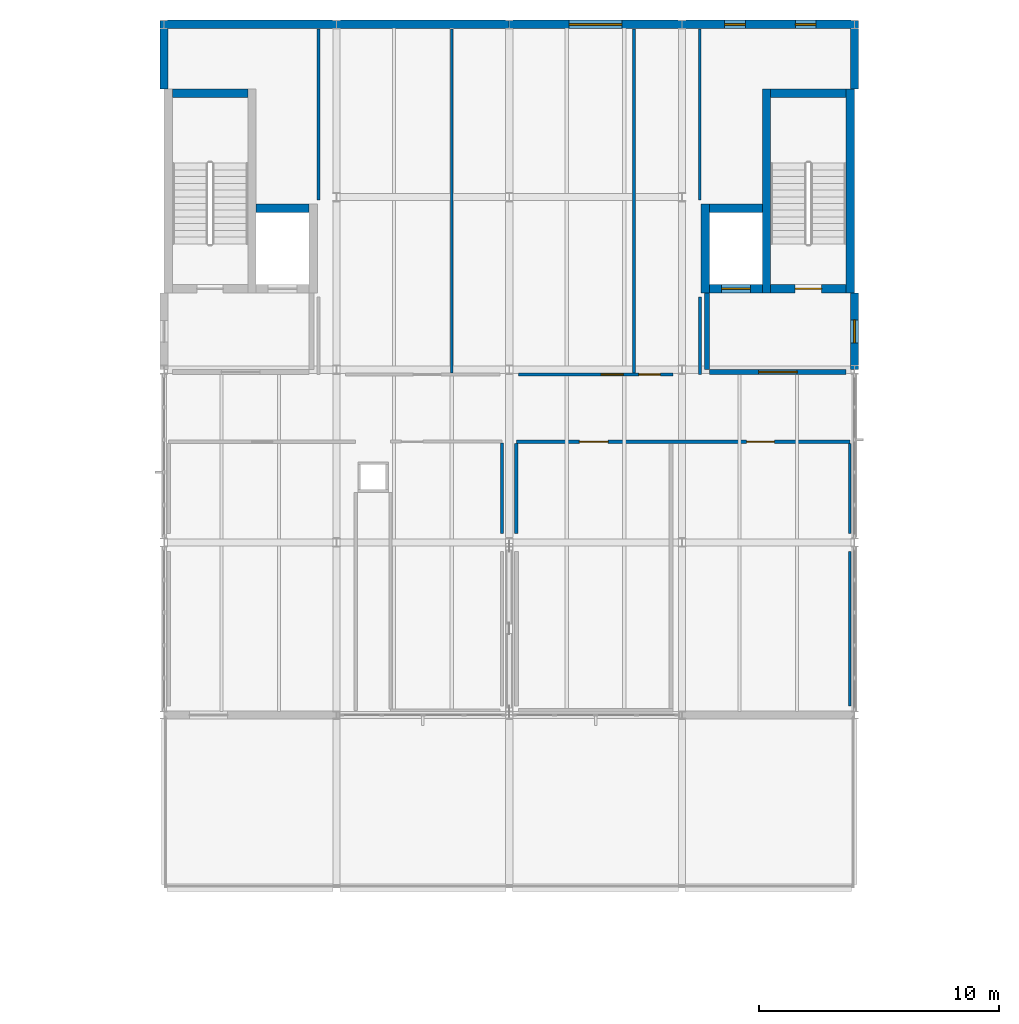
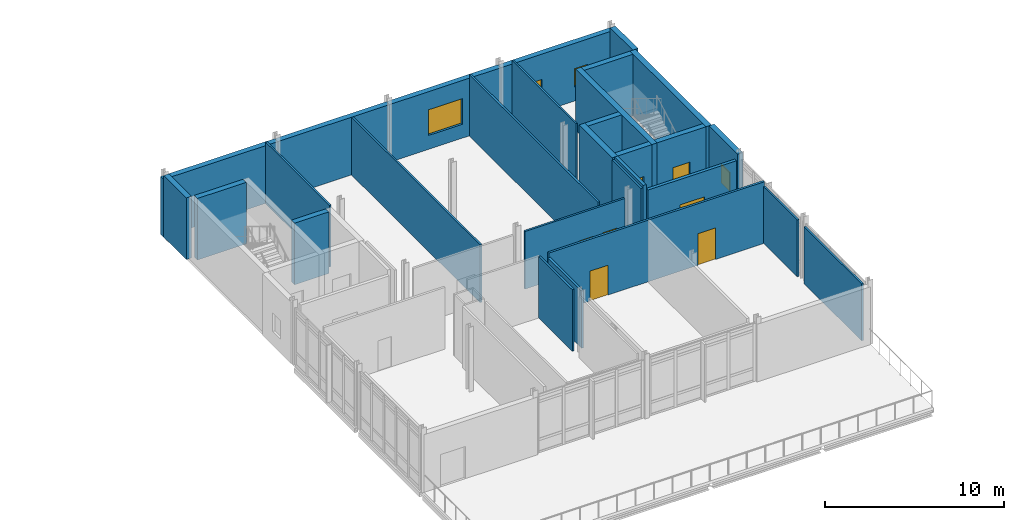
# One storey, part 43 of 53: 29 walls, 7 doors, 4 windows, 11 openings.
"""IFC4 building model written with IfcOpenShell, lengths in metres."""

from ifc_helpers import new_model, si_unit, direction, frame, frame_2d, origin, place, context, subcontext, project, spatial, rectangle, extrude, material, layer, layer_set, type_object, element, fill, save


model = new_model("IFC4")

# Units and contexts
model_context = context("Model", 3, precision=1e-05, world=origin(), true_north=direction((0.0, 1.0)))
body_context = subcontext(model_context, "Body", "Model", "MODEL_VIEW")
ifc_project = project(units=[si_unit("LENGTHUNIT", "METRE"), si_unit("AREAUNIT", "SQUARE_METRE"), si_unit("VOLUMEUNIT", "CUBIC_METRE"), si_unit("PLANEANGLEUNIT", "RADIAN"), si_unit("MASSUNIT", "GRAM", prefix="KILO")], contexts=[model_context])

# Site, building, storey
site_placement = place(None, origin())
site = spatial("IfcSite", under=ifc_project, at=site_placement, CompositionType="ELEMENT")
building_placement = place(site_placement, origin())
building = spatial("IfcBuilding", under=site, at=building_placement, Name="Zarrinpeak Specialist Clinic", CompositionType="ELEMENT")
storey_placement = place(building_placement, frame((0.0, 0.0, 14.0)))
storey = spatial("IfcBuildingStorey", under=building, at=storey_placement, Name="L03", CompositionType="ELEMENT", Elevation=14.0)

# Walls
ifc_material_1 = material(Name="Concrete C40/50", Category="concrete")
ifc_layer_1 = layer(ifc_material_1, 0.35009765625)
ifc_layer_set_1 = layer_set([ifc_layer_1], Name="Concrete C40/50")
wall_type_1 = type_object("IfcWallType", Name="WL-CR350", PredefinedType="SHEAR", material=ifc_layer_set_1)
wall_1_placement = place(storey_placement, frame((36.35009765625, 115.125, 0.0), z_axis=(0.0, 0.0, 1.0), x_axis=(1.0, 0.0, 0.0)))
element("IfcWall", 1, at=wall_1_placement, inside=storey, type_object=wall_type_1, Name="L03 Core C11 Shear Wall STN", PredefinedType="SHEAR", context=body_context, shape_type="SweptSolid", body=[
    extrude(rectangle(XDim=3.14990234375, YDim=0.35009765625, at=frame_2d((1.574951171875, 0.0))), origin(), (0.0, 0.0, 1.0), 4.199951171875),
])
wall_2_placement = place(storey_placement, frame((39.85009765625, 110.324951171875, 0.0), z_axis=(0.0, 0.0, 1.0), x_axis=(1.0, 0.0, 0.0)))
element("IfcWall", 2, at=wall_2_placement, inside=storey, type_object=wall_type_1, Name="L03 Lift LF-P1 Shaft Wall LFN", PredefinedType="SHEAR", context=body_context, shape_type="SweptSolid", body=[
    extrude(rectangle(XDim=2.199951171875, YDim=0.35009765625, at=frame_2d((1.10009765625, 0.0))), origin(), (0.0, 0.0, 1.0), 4.199951171875),
])

# Wall, opening, door
wall_3_placement = place(storey_placement, frame((61.300048828125, 106.97509765625, 0.0), z_axis=(0.0, 0.0, 1.0), x_axis=(1.0, 0.0, 0.0)))
wall_3 = element("IfcWall", 3, at=wall_3_placement, inside=storey, type_object=wall_type_1, Name="L03 Core C12 Shear Wall STS", PredefinedType="SHEAR", context=body_context, shape_type="SweptSolid", body=[
    extrude(rectangle(XDim=3.14990234375, YDim=0.35009765625, at=frame_2d((1.574951171875, 0.0))), origin(), (0.0, 0.0, 1.0), 4.199951171875),
])
opening_1_placement = place(wall_3_placement, frame((1.02490234375, 0.0, 0.0)))
opening_1 = element("IfcOpeningElement", 4, at=opening_1_placement, cuts=wall_3, Name="Opening D-S02", PredefinedType="OPENING", context=body_context, shape_type="SweptSolid", body=[
    extrude(rectangle(XDim=1.10009765625, YDim=2.14990234375, at=frame_2d((0.550048828125, 1.074951171875))), frame((0.0, 0.18505859375, 0.0), z_axis=(0.0, -1.0, 0.0), x_axis=(1.0, 0.0, 0.0)), (0.0, 0.0, 1.0), 0.3701171875),
])
ifc_material_2 = material(Name="Powder-Coated Galvanised Steel", Category="steel")
door_type_1 = type_object("IfcDoorType", Name="DR-FD110", OperationType="SINGLE_SWING_RIGHT", PredefinedType="DOOR", material=ifc_material_2)
door_1_placement = place(opening_1_placement, origin())
door_1 = element("IfcDoor", 5, at=door_1_placement, inside=storey, type_object=door_type_1, Name="L03 Protected Stair ST-12 Fire Door", OperationType="SINGLE_SWING_RIGHT", OverallHeight=2.14990234375, OverallWidth=1.10009765625, PredefinedType="DOOR", context=body_context, shape_type="SweptSolid", body=[
    extrude(rectangle(XDim=1.10009765625, YDim=2.14990234375, at=frame_2d((0.550048828125, 1.074951171875))), frame((0.0, 0.02490234375, 0.0), z_axis=(0.0, -1.0, 0.0), x_axis=(1.0, 0.0, 0.0)), (0.0, 0.0, 1.0), 0.050048828125),
])
fill(opening_1, door_1)

# Walls
wall_4_placement = place(storey_placement, frame((61.300048828125, 115.125, 0.0), z_axis=(0.0, 0.0, 1.0), x_axis=(1.0, 0.0, 0.0)))
element("IfcWall", 6, at=wall_4_placement, inside=storey, type_object=wall_type_1, Name="L03 Core C12 Shear Wall STN", PredefinedType="SHEAR", context=body_context, shape_type="SweptSolid", body=[
    extrude(rectangle(XDim=3.14990234375, YDim=0.35009765625, at=frame_2d((1.574951171875, 0.0))), origin(), (0.0, 0.0, 1.0), 4.199951171875),
])
for number, where, z_axis, x_axis, name in (
    (7, (61.125, 106.800048828125, 0.0), (0.0, 0.0, 1.0), (0.0, 1.0, 0.0), "L03 Core C12 Shear Wall STW"),
    (8, (64.625, 106.800048828125, 0.0), (0.0, 0.0, 1.0), (0.0, 1.0, 0.0), "L03 Core C12 Shear Wall STE"),
):
    element("IfcWall", number, at=place(storey_placement, frame(where, z_axis=z_axis, x_axis=x_axis)), inside=storey, type_object=wall_type_1, Name=name, PredefinedType="SHEAR", context=body_context, shape_type="SweptSolid", body=[
        extrude(rectangle(XDim=8.5, YDim=0.35009765625, at=frame_2d((4.25, 0.0))), origin(), (0.0, 0.0, 1.0), 4.199951171875),
    ])

# Wall, opening, door
wall_5_placement = place(storey_placement, frame((58.75, 106.97509765625, 0.0), z_axis=(0.0, 0.0, 1.0), x_axis=(1.0, 0.0, 0.0)))
wall_5 = element("IfcWall", 9, at=wall_5_placement, inside=storey, type_object=wall_type_1, Name="L03 Lift LF-P6 Shaft Wall LFS", PredefinedType="SHEAR", context=body_context, shape_type="SweptSolid", body=[
    extrude(rectangle(XDim=2.199951171875, YDim=0.35009765625, at=frame_2d((1.10009765625, 0.0))), origin(), (0.0, 0.0, 1.0), 4.199951171875),
])
opening_2_placement = place(wall_5_placement, frame((0.5, 0.0, 0.0)))
opening_2 = element("IfcOpeningElement", 10, at=opening_2_placement, cuts=wall_5, Name="Opening LD-02", PredefinedType="OPENING", context=body_context, shape_type="SweptSolid", body=[
    extrude(rectangle(XDim=1.199951171875, YDim=2.199951171875, at=frame_2d((0.60009765625, 1.10009765625))), frame((0.0, 0.18505859375, 0.0), z_axis=(0.0, -1.0, 0.0), x_axis=(1.0, 0.0, 0.0)), (0.0, 0.0, 1.0), 0.3701171875),
])
door_type_2 = type_object("IfcDoorType", Name="DR-LD120", OperationType="SLIDING_TO_RIGHT", PredefinedType="DOOR", material=ifc_material_2)
door_2_placement = place(opening_2_placement, origin())
door_2 = element("IfcDoor", 11, at=door_2_placement, inside=storey, type_object=door_type_2, Name="L03 Lift LF-P6 Sliding Landing Door", OperationType="SLIDING_TO_RIGHT", OverallHeight=2.199951171875, OverallWidth=1.199951171875, PredefinedType="DOOR", context=body_context, shape_type="SweptSolid", body=[
    extrude(rectangle(XDim=1.199951171875, YDim=2.199951171875, at=frame_2d((0.60009765625, 1.10009765625))), frame((0.0, 0.02490234375, 0.0), z_axis=(0.0, -1.0, 0.0), x_axis=(1.0, 0.0, 0.0)), (0.0, 0.0, 1.0), 0.050048828125),
])
fill(opening_2, door_2)

# Walls
wall_6_placement = place(storey_placement, frame((58.75, 110.324951171875, 0.0), z_axis=(0.0, 0.0, 1.0), x_axis=(1.0, 0.0, 0.0)))
element("IfcWall", 12, at=wall_6_placement, inside=storey, type_object=wall_type_1, Name="L03 Lift LF-P6 Shaft Wall LFN", PredefinedType="SHEAR", context=body_context, shape_type="SweptSolid", body=[
    extrude(rectangle(XDim=2.199951171875, YDim=0.35009765625, at=frame_2d((1.10009765625, 0.0))), origin(), (0.0, 0.0, 1.0), 4.199951171875),
])
wall_7_placement = place(storey_placement, frame((58.574951171875, 106.800048828125, 0.0), z_axis=(0.0, 0.0, 1.0), x_axis=(0.0, 1.0, 0.0)))
element("IfcWall", 13, at=wall_7_placement, inside=storey, type_object=wall_type_1, Name="L03 Lift LF-P6 Shaft Wall LFW", PredefinedType="SHEAR", context=body_context, shape_type="SweptSolid", body=[
    extrude(rectangle(XDim=3.699951171875, YDim=0.35009765625, at=frame_2d((1.85009765625, 0.0))), origin(), (0.0, 0.0, 1.0), 4.199951171875),
])
ifc_material_3 = material(Name="Precast concrete C40/50", Category="concrete")
ifc_layer_2 = layer(ifc_material_3, 0.340087890625)
ifc_layer_set_2 = layer_set([ifc_layer_2], Name="Precast concrete C40/50")
wall_type_2 = type_object("IfcWallType", Name="WL-EW340", PredefinedType="STANDARD", material=ifc_layer_set_2)
wall_8_placement = place(storey_placement, frame((43.199951171875, 118.0, 0.0), z_axis=(0.0, 0.0, 1.0), x_axis=(-1.0, 0.0, 0.0)))
element("IfcWall", 14, at=wall_8_placement, inside=storey, type_object=wall_type_2, Name="L03 V6 Exterior GRC Wall EW-L03-V6-0303", PredefinedType="STANDARD", context=body_context, shape_type="SweptSolid", body=[
    extrude(rectangle(XDim=7.369873046875, YDim=0.340087890625, at=frame_2d((3.68505859375, 0.0))), origin(), (0.0, 0.0, 1.0), 3.93505859375),
])
wall_9_placement = place(storey_placement, frame((50.39990234375, 118.0, 0.0), z_axis=(0.0, 0.0, 1.0), x_axis=(-1.0, 0.0, 0.0)))
element("IfcWall", 15, at=wall_9_placement, inside=storey, type_object=wall_type_2, Name="L03 V6 Exterior GRC Wall EW-L03-V6-0304", PredefinedType="STANDARD", context=body_context, shape_type="SweptSolid", body=[
    extrude(rectangle(XDim=7.199951171875, YDim=0.340087890625, at=frame_2d((3.60009765625, 0.0))), origin(), (0.0, 0.0, 1.0), 3.93505859375),
])

# Wall, opening, window
wall_10_placement = place(storey_placement, frame((57.60009765625, 118.0, 0.0), z_axis=(0.0, 0.0, 1.0), x_axis=(-1.0, 0.0, 0.0)))
wall_10 = element("IfcWall", 16, at=wall_10_placement, inside=storey, type_object=wall_type_2, Name="L03 V6 Exterior GRC Wall EW-L03-V6-0305", PredefinedType="STANDARD", context=body_context, shape_type="SweptSolid", body=[
    extrude(rectangle(XDim=7.2001953125, YDim=0.340087890625, at=frame_2d((3.60009765625, 0.0))), origin(), (0.0, 0.0, 1.0), 3.93505859375),
])
opening_3_placement = place(wall_10_placement, frame((2.5, 0.0, 0.949951171875)))
opening_3 = element("IfcOpeningElement", 17, at=opening_3_placement, cuts=wall_10, Name="Opening W-12", PredefinedType="OPENING", context=body_context, shape_type="SweptSolid", body=[
    extrude(rectangle(XDim=2.199951171875, YDim=1.75, at=frame_2d((1.10009765625, 0.875))), frame((0.0, 0.18017578125, 0.0), z_axis=(0.0, -1.0, 0.0), x_axis=(1.0, 0.0, 0.0)), (0.0, 0.0, 1.0), 0.360107421875),
])
ifc_material_4 = material(Name="Thermally Broken Aluminium and Low-E Glazing", Category="aluminium")
window_type_1 = type_object("IfcWindowType", Name="WN-SEM220", PartitioningType="SINGLE_PANEL", PredefinedType="WINDOW", material=ifc_material_4)
window_1_placement = place(opening_3_placement, origin())
window_1 = element("IfcWindow", 18, at=window_1_placement, inside=storey, type_object=window_type_1, Name="L03 Modular Facade Window WN-L03-0342", OverallHeight=1.75, OverallWidth=2.199951171875, PartitioningType="SINGLE_PANEL", PredefinedType="WINDOW", context=body_context, shape_type="SweptSolid", body=[
    extrude(rectangle(XDim=2.199951171875, YDim=1.75, at=frame_2d((1.10009765625, 0.875))), frame((0.0, 0.030029296875, 0.0), z_axis=(0.0, -1.0, 0.0), x_axis=(1.0, 0.0, 0.0)), (0.0, 0.0, 1.0), 0.06005859375),
])
fill(opening_3, window_1)

# Wall, openings, windows
wall_11_placement = place(storey_placement, frame((64.969970703125, 118.0, 0.0), z_axis=(0.0, 0.0, 1.0), x_axis=(-1.0, 0.0, 0.0)))
wall_11 = element("IfcWall", 19, at=wall_11_placement, inside=storey, type_object=wall_type_2, Name="L03 V6 Exterior GRC Wall EW-L03-V6-0306", PredefinedType="STANDARD", context=body_context, shape_type="SweptSolid", body=[
    extrude(rectangle(XDim=7.369873046875, YDim=0.340087890625, at=frame_2d((3.68505859375, 0.0))), origin(), (0.0, 0.0, 1.0), 3.93505859375),
])
opening_4_placement = place(wall_11_placement, frame((1.781005859375, 0.0, 0.949951171875)))
opening_4 = element("IfcOpeningElement", 20, at=opening_4_placement, cuts=wall_11, Name="Opening WS-01", PredefinedType="OPENING", context=body_context, shape_type="SweptSolid", body=[
    extrude(rectangle(XDim=0.860107421875, YDim=1.260009765625, at=frame_2d((0.43017578125, 0.6298828125))), frame((0.0, 0.18017578125, 0.0), z_axis=(0.0, -1.0, 0.0), x_axis=(1.0, 0.0, 0.0)), (0.0, 0.0, 1.0), 0.360107421875),
])
opening_5_placement = place(wall_11_placement, frame((4.72900390625, 0.0, 0.949951171875)))
opening_5 = element("IfcOpeningElement", 21, at=opening_5_placement, cuts=wall_11, Name="Opening WS-01", PredefinedType="OPENING", context=body_context, shape_type="SweptSolid", body=[
    extrude(rectangle(XDim=0.860107421875, YDim=1.260009765625, at=frame_2d((0.43017578125, 0.6298828125))), frame((0.0, 0.18017578125, 0.0), z_axis=(0.0, -1.0, 0.0), x_axis=(1.0, 0.0, 0.0)), (0.0, 0.0, 1.0), 0.360107421875),
])
window_type_2 = type_object("IfcWindowType", Name="WN-SP01", PartitioningType="SINGLE_PANEL", PredefinedType="WINDOW", material=ifc_material_4)
window_2_placement = place(opening_4_placement, origin())
window_2 = element("IfcWindow", 22, at=window_2_placement, inside=storey, type_object=window_type_2, Name="L03 Modular Facade Window WN-L03-0343", OverallHeight=1.260009765625, OverallWidth=0.860107421875, PartitioningType="SINGLE_PANEL", PredefinedType="WINDOW", context=body_context, shape_type="SweptSolid", body=[
    extrude(rectangle(XDim=0.860107421875, YDim=1.260009765625, at=frame_2d((0.43017578125, 0.6298828125))), frame((0.0, 0.030029296875, 0.0), z_axis=(0.0, -1.0, 0.0), x_axis=(1.0, 0.0, 0.0)), (0.0, 0.0, 1.0), 0.06005859375),
])
fill(opening_4, window_2)
window_3_placement = place(opening_5_placement, origin())
window_3 = element("IfcWindow", 23, at=window_3_placement, inside=storey, type_object=window_type_2, Name="L03 Modular Facade Window WN-L03-0344", OverallHeight=1.260009765625, OverallWidth=0.860107421875, PartitioningType="SINGLE_PANEL", PredefinedType="WINDOW", context=body_context, shape_type="SweptSolid", body=[
    extrude(rectangle(XDim=0.860107421875, YDim=1.260009765625, at=frame_2d((0.43017578125, 0.6298828125))), frame((0.0, 0.030029296875, 0.0), z_axis=(0.0, -1.0, 0.0), x_axis=(1.0, 0.0, 0.0)), (0.0, 0.0, 1.0), 0.06005859375),
])
fill(opening_5, window_3)

# Wall
wall_12_placement = place(storey_placement, frame((36.0, 117.830078125, 0.0), z_axis=(0.0, 0.0, 1.0), x_axis=(0.0, -1.0, 0.0)))
element("IfcWall", 24, at=wall_12_placement, inside=storey, type_object=wall_type_2, Name="L03 V6 Exterior GRC Wall EW-L03-V6-0308", PredefinedType="STANDARD", context=body_context, shape_type="SweptSolid", body=[
    extrude(rectangle(XDim=2.530029296875, YDim=0.340087890625, at=frame_2d((1.26513671875, 0.0))), origin(), (0.0, 0.0, 1.0), 4.199951171875),
])

# Wall, opening, window
wall_13_placement = place(storey_placement, frame((64.800048828125, 103.60009765625, 0.0), z_axis=(0.0, 0.0, 1.0), x_axis=(0.0, 1.0, 0.0)))
wall_13 = element("IfcWall", 25, at=wall_13_placement, inside=storey, type_object=wall_type_2, Name="L03 V6 Exterior GRC Wall EW-L03-V6-0309", PredefinedType="STANDARD", context=body_context, shape_type="SweptSolid", body=[
    extrude(rectangle(XDim=3.199951171875, YDim=0.340087890625, at=frame_2d((1.60009765625, 0.0))), origin(), (0.0, 0.0, 1.0), 4.199951171875),
])
opening_6_placement = place(wall_13_placement, frame((1.118896484375, 0.0, 0.949951171875)))
opening_6 = element("IfcOpeningElement", 26, at=opening_6_placement, cuts=wall_13, Name="Opening WS-04", PredefinedType="OPENING", context=body_context, shape_type="SweptSolid", body=[
    extrude(rectangle(XDim=0.9619140625, YDim=1.260009765625, at=frame_2d((0.48095703125, 0.6298828125))), frame((0.0, 0.18017578125, 0.0), z_axis=(0.0, -1.0, 0.0), x_axis=(1.0, 0.0, 0.0)), (0.0, 0.0, 1.0), 0.360107421875),
])
window_type_3 = type_object("IfcWindowType", Name="WN-SP04", PartitioningType="SINGLE_PANEL", PredefinedType="WINDOW", material=ifc_material_4)
window_4_placement = place(opening_6_placement, origin())
window_4 = element("IfcWindow", 27, at=window_4_placement, inside=storey, type_object=window_type_3, Name="L03 Modular Facade Window WN-L03-0346", OverallHeight=1.260009765625, OverallWidth=0.9619140625, PartitioningType="SINGLE_PANEL", PredefinedType="WINDOW", context=body_context, shape_type="SweptSolid", body=[
    extrude(rectangle(XDim=0.9619140625, YDim=1.260009765625, at=frame_2d((0.48095703125, 0.6298828125))), frame((0.0, 0.030029296875, 0.0), z_axis=(0.0, -1.0, 0.0), x_axis=(1.0, 0.0, 0.0)), (0.0, 0.0, 1.0), 0.06005859375),
])
fill(opening_6, window_4)

# Walls
wall_14_placement = place(storey_placement, frame((64.800048828125, 115.300048828125, 0.0), z_axis=(0.0, 0.0, 1.0), x_axis=(0.0, 1.0, 0.0)))
element("IfcWall", 28, at=wall_14_placement, inside=storey, type_object=wall_type_2, Name="L03 V6 Exterior GRC Wall EW-L03-V6-0310", PredefinedType="STANDARD", context=body_context, shape_type="SweptSolid", body=[
    extrude(rectangle(XDim=2.530029296875, YDim=0.340087890625, at=frame_2d((1.26513671875, 0.0))), origin(), (0.0, 0.0, 1.0), 4.199951171875),
])
ifc_material_5 = material(Name="Sanitary Service Chase Plumbing Wall", Category="gypsum")
ifc_layer_3 = layer(ifc_material_5, 0.110107421875)
ifc_layer_set_3 = layer_set([ifc_layer_3], Name="Sanitary Service Chase Plumbing Wall")
wall_type_3 = type_object("IfcWallType", Name="WL-IW110", PredefinedType="PARTITIONING", material=ifc_layer_set_3)
wall_15_placement = place(storey_placement, frame((58.35009765625, 110.675048828125, 0.0), z_axis=(0.0, 0.0, 1.0), x_axis=(0.0, 1.0, 0.0)))
element("IfcWall", 29, at=wall_15_placement, inside=storey, type_object=wall_type_3, Name="L03 Accessible Researcher WC Dividing Partition", PredefinedType="PARTITIONING", context=body_context, shape_type="SweptSolid", body=[
    extrude(rectangle(XDim=7.125, YDim=0.110107421875, at=frame_2d((3.5625, 0.0))), origin(), (0.0, 0.0, 1.0), 4.199951171875),
])
ifc_material_6 = material(Name="Cleanroom Flush Phenolic Partition", Category="gypsum")
ifc_layer_4 = layer(ifc_material_6, 0.117919921875)
ifc_layer_set_4 = layer_set([ifc_layer_4], Name="Cleanroom Flush Phenolic Partition")
wall_type_4 = type_object("IfcWallType", Name="WL-IW118", PredefinedType="PARTITIONING", material=ifc_layer_set_4)
wall_16_placement = place(storey_placement, frame((42.449951171875, 110.675048828125, 0.0), z_axis=(0.0, 0.0, 1.0), x_axis=(0.0, 1.0, 0.0)))
element("IfcWall", 30, at=wall_16_placement, inside=storey, type_object=wall_type_4, Name="L03 Translational Genomics Wet Lab Dividing Partition", PredefinedType="PARTITIONING", context=body_context, shape_type="SweptSolid", body=[
    extrude(rectangle(XDim=7.125, YDim=0.117919921875, at=frame_2d((3.5625, 0.0))), origin(), (0.0, 0.0, 1.0), 4.199951171875),
])
wall_17_placement = place(storey_placement, frame((48.0, 103.46240234375, 0.0), z_axis=(0.0, 0.0, 1.0), x_axis=(0.0, 1.0, 0.0)))
element("IfcWall", 31, at=wall_17_placement, inside=storey, type_object=wall_type_4, Name="L03 Translational Genomics Wet Lab Dividing Partition", PredefinedType="PARTITIONING", context=body_context, shape_type="SweptSolid", body=[
    extrude(rectangle(XDim=14.337646484375, YDim=0.117919921875, at=frame_2d((7.1689453125, 0.0))), origin(), (0.0, 0.0, 1.0), 3.945068359375),
])
wall_18_placement = place(storey_placement, frame((64.60009765625, 89.580078125, 0.0), z_axis=(0.0, 0.0, 1.0), x_axis=(0.0, 1.0, 0.0)))
element("IfcWall", 32, at=wall_18_placement, inside=storey, type_object=wall_type_4, Name="L03 Cell Culture Clean Lab Dividing Partition", PredefinedType="PARTITIONING", context=body_context, shape_type="SweptSolid", body=[
    extrude(rectangle(XDim=6.43994140625, YDim=0.117919921875, at=frame_2d((3.219970703125, 0.0))), origin(), (0.0, 0.0, 1.0), 3.885009765625),
])
wall_19_placement = place(storey_placement, frame((64.60009765625, 96.780029296875, 0.0), z_axis=(0.0, 0.0, 1.0), x_axis=(0.0, 1.0, 0.0)))
element("IfcWall", 33, at=wall_19_placement, inside=storey, type_object=wall_type_4, Name="L03 Cell Culture Clean Lab Dividing Partition", PredefinedType="PARTITIONING", context=body_context, shape_type="SweptSolid", body=[
    extrude(rectangle(XDim=3.7490234375, YDim=0.117919921875, at=frame_2d((1.87451171875, 0.0))), origin(), (0.0, 0.0, 1.0), 3.885009765625),
])

# Wall, openings, doors
ifc_material_7 = material(Name="Moisture-Resistant Wet-Room Partition", Category="gypsum")
ifc_layer_5 = layer(ifc_material_7, 0.125)
ifc_layer_set_5 = layer_set([ifc_layer_5], Name="Moisture-Resistant Wet-Room Partition")
wall_type_5 = type_object("IfcWallType", Name="WL-IW125W", PredefinedType="PARTITIONING", material=ifc_layer_set_5)
wall_20_placement = place(storey_placement, frame((50.780029296875, 103.39990234375, 0.0), z_axis=(0.0, 0.0, 1.0), x_axis=(1.0, 0.0, 0.0)))
wall_20 = element("IfcWall", 34, at=wall_20_placement, inside=storey, type_object=wall_type_5, Name="L03 Accessible Researcher WC Partition", PredefinedType="PARTITIONING", context=body_context, shape_type="SweptSolid", body=[
    extrude(rectangle(XDim=6.43994140625, YDim=0.125, at=frame_2d((3.219970703125, 0.0))), origin(), (0.0, 0.0, 1.0), 3.93505859375),
])
opening_7_placement = place(wall_20_placement, frame((5.02001953125, 0.0, 0.0)))
opening_7 = element("IfcOpeningElement", 35, at=opening_7_placement, cuts=wall_20, Name="Opening D-W01", PredefinedType="OPENING", context=body_context, shape_type="SweptSolid", body=[
    extrude(rectangle(XDim=0.89990234375, YDim=2.10009765625, at=frame_2d((0.449951171875, 1.050048828125))), frame((0.0, 0.072509765625, 0.0), z_axis=(0.0, -1.0, 0.0), x_axis=(1.0, 0.0, 0.0)), (0.0, 0.0, 1.0), 0.14501953125),
])
opening_8_placement = place(wall_20_placement, frame((3.464111328125, 0.0, 0.0)))
opening_8 = element("IfcOpeningElement", 36, at=opening_8_placement, cuts=wall_20, Name="Opening DS-15", PredefinedType="OPENING", context=body_context, shape_type="SweptSolid", body=[
    extrude(rectangle(XDim=0.906005859375, YDim=2.068115234375, at=frame_2d((0.453125, 1.0341796875))), frame((0.0, 0.072509765625, 0.0), z_axis=(0.0, -1.0, 0.0), x_axis=(1.0, 0.0, 0.0)), (0.0, 0.0, 1.0), 0.14501953125),
])
door_type_3 = type_object("IfcDoorType", Name="DR-SP15", OperationType="SINGLE_SWING_RIGHT", PredefinedType="DOOR", material=ifc_material_2)
door_3_placement = place(opening_8_placement, frame((0.906005859375, 0.0, 0.0), z_axis=(0.0, 0.0, 1.0), x_axis=(-1.0, 0.0, 0.0)))
door_3 = element("IfcDoor", 37, at=door_3_placement, inside=storey, type_object=door_type_3, Name="L03 Specialist Consultation Room 2 Door", OperationType="SINGLE_SWING_RIGHT", OverallHeight=2.068115234375, OverallWidth=0.906005859375, PredefinedType="DOOR", context=body_context, shape_type="SweptSolid", body=[
    extrude(rectangle(XDim=0.906005859375, YDim=2.068115234375, at=frame_2d((0.453125, 1.0341796875))), frame((0.0, 0.02490234375, 0.0), z_axis=(0.0, -1.0, 0.0), x_axis=(1.0, 0.0, 0.0)), (0.0, 0.0, 1.0), 0.050048828125),
])
fill(opening_8, door_3)
door_type_4 = type_object("IfcDoorType", Name="DR-WC90", OperationType="SINGLE_SWING_RIGHT", PredefinedType="DOOR", material=ifc_material_2)
door_4_placement = place(opening_7_placement, frame((0.89990234375, 0.0, 0.0), z_axis=(0.0, 0.0, 1.0), x_axis=(-1.0, 0.0, 0.0)))
door_4 = element("IfcDoor", 38, at=door_4_placement, inside=storey, type_object=door_type_4, Name="L03 Accessible Researcher WC Door", OperationType="SINGLE_SWING_RIGHT", OverallHeight=2.10009765625, OverallWidth=0.89990234375, PredefinedType="DOOR", context=body_context, shape_type="SweptSolid", body=[
    extrude(rectangle(XDim=0.89990234375, YDim=2.10009765625, at=frame_2d((0.449951171875, 1.050048828125))), frame((0.0, 0.02490234375, 0.0), z_axis=(0.0, -1.0, 0.0), x_axis=(1.0, 0.0, 0.0)), (0.0, 0.0, 1.0), 0.050048828125),
])
fill(opening_7, door_4)

# Walls
wall_21_placement = place(storey_placement, frame((50.10009765625, 96.780029296875, 0.0), z_axis=(0.0, 0.0, 1.0), x_axis=(0.0, 1.0, 0.0)))
element("IfcWall", 39, at=wall_21_placement, inside=storey, type_object=wall_type_5, Name="L03 Washroom Dividing Partition", PredefinedType="PARTITIONING", context=body_context, shape_type="SweptSolid", body=[
    extrude(rectangle(XDim=3.757568359375, YDim=0.125, at=frame_2d((1.87890625, 0.0))), origin(), (0.0, 0.0, 1.0), 4.199951171875),
])
wall_22_placement = place(storey_placement, frame((55.60009765625, 103.46240234375, 0.0), z_axis=(0.0, 0.0, 1.0), x_axis=(0.0, 1.0, 0.0)))
element("IfcWall", 40, at=wall_22_placement, inside=storey, type_object=wall_type_5, Name="L03 Accessible Researcher WC Dividing Partition", PredefinedType="PARTITIONING", context=body_context, shape_type="SweptSolid", body=[
    extrude(rectangle(XDim=14.337646484375, YDim=0.125, at=frame_2d((7.1689453125, 0.0))), origin(), (0.0, 0.0, 1.0), 4.199951171875),
])
wall_23_placement = place(storey_placement, frame((58.35009765625, 103.39990234375, 0.0), z_axis=(0.0, 0.0, 1.0), x_axis=(0.0, 1.0, 0.0)))
element("IfcWall", 41, at=wall_23_placement, inside=storey, type_object=wall_type_5, Name="L03 Accessible Researcher WC Dividing Partition", PredefinedType="PARTITIONING", context=body_context, shape_type="SweptSolid", body=[
    extrude(rectangle(XDim=3.22509765625, YDim=0.125, at=frame_2d((1.612548828125, 0.0))), origin(), (0.0, 0.0, 1.0), 4.199951171875),
])

# Wall, openings, doors
ifc_material_8 = material(Name="Acoustic Consultation Stud Partition", Category="gypsum")
ifc_layer_6 = layer(ifc_material_8, 0.14208984375)
ifc_layer_set_6 = layer_set([ifc_layer_6], Name="Acoustic Consultation Stud Partition")
wall_type_6 = type_object("IfcWallType", Name="WL-IW142", PredefinedType="PARTITIONING", material=ifc_layer_set_6)
wall_24_placement = place(storey_placement, frame((50.699951171875, 100.60009765625, 0.0), z_axis=(0.0, 0.0, 1.0), x_axis=(1.0, 0.0, 0.0)))
wall_24 = element("IfcWall", 42, at=wall_24_placement, inside=storey, type_object=wall_type_6, Name="L03 Bioinformatics Dry Lab Partition", PredefinedType="PARTITIONING", context=body_context, shape_type="SweptSolid", body=[
    extrude(rectangle(XDim=13.900146484375, YDim=0.14208984375, at=frame_2d((6.9501953125, 0.0))), origin(), (0.0, 0.0, 1.0), 4.199951171875),
])
opening_9_placement = place(wall_24_placement, frame((2.62890625, 0.0, 0.0)))
opening_9 = element("IfcOpeningElement", 43, at=opening_9_placement, cuts=wall_24, Name="Opening DS-13", PredefinedType="OPENING", context=body_context, shape_type="SweptSolid", body=[
    extrude(rectangle(XDim=1.19189453125, YDim=2.0400390625, at=frame_2d((0.595947265625, 1.02001953125))), frame((0.0, 0.0810546875, 0.0), z_axis=(0.0, -1.0, 0.0), x_axis=(1.0, 0.0, 0.0)), (0.0, 0.0, 1.0), 0.162109375),
])
opening_10_placement = place(wall_24_placement, frame((9.60009765625, 0.0, 0.0)))
opening_10 = element("IfcOpeningElement", 44, at=opening_10_placement, cuts=wall_24, Name="Opening D-LB1", PredefinedType="OPENING", context=body_context, shape_type="SweptSolid", body=[
    extrude(rectangle(XDim=1.14990234375, YDim=2.14990234375, at=frame_2d((0.574951171875, 1.074951171875))), frame((0.0, 0.0810546875, 0.0), z_axis=(0.0, -1.0, 0.0), x_axis=(1.0, 0.0, 0.0)), (0.0, 0.0, 1.0), 0.162109375),
])
door_type_5 = type_object("IfcDoorType", Name="DR-LAB115", OperationType="SINGLE_SWING_LEFT", PredefinedType="DOOR", material=ifc_material_2)
door_5_placement = place(opening_10_placement, origin())
door_5 = element("IfcDoor", 45, at=door_5_placement, inside=storey, type_object=door_type_5, Name="L03 Cell Culture Clean Lab Door", OperationType="SINGLE_SWING_LEFT", OverallHeight=2.14990234375, OverallWidth=1.14990234375, PredefinedType="DOOR", context=body_context, shape_type="SweptSolid", body=[
    extrude(rectangle(XDim=1.14990234375, YDim=2.14990234375, at=frame_2d((0.574951171875, 1.074951171875))), frame((0.0, 0.02490234375, 0.0), z_axis=(0.0, -1.0, 0.0), x_axis=(1.0, 0.0, 0.0)), (0.0, 0.0, 1.0), 0.050048828125),
])
fill(opening_10, door_5)
door_type_6 = type_object("IfcDoorType", Name="DR-SP13", OperationType="SINGLE_SWING_RIGHT", PredefinedType="DOOR", material=ifc_material_2)
door_6_placement = place(opening_9_placement, origin())
door_6 = element("IfcDoor", 46, at=door_6_placement, inside=storey, type_object=door_type_6, Name="L03 Bioinformatics Dry Lab Door", OperationType="SINGLE_SWING_RIGHT", OverallHeight=2.0400390625, OverallWidth=1.19189453125, PredefinedType="DOOR", context=body_context, shape_type="SweptSolid", body=[
    extrude(rectangle(XDim=1.19189453125, YDim=2.0400390625, at=frame_2d((0.595947265625, 1.02001953125))), frame((0.0, 0.02490234375, 0.0), z_axis=(0.0, -1.0, 0.0), x_axis=(1.0, 0.0, 0.0)), (0.0, 0.0, 1.0), 0.050048828125),
])
fill(opening_9, door_6)

# Wall
ifc_material_9 = material(Name="Insulated Clinical Gypsum Stud Partition", Category="gypsum")
ifc_layer_7 = layer(ifc_material_9, 0.14990234375)
ifc_layer_set_7 = layer_set([ifc_layer_7], Name="Insulated Clinical Gypsum Stud Partition")
wall_type_7 = type_object("IfcWallType", Name="WL-IW150", PredefinedType="PARTITIONING", material=ifc_layer_set_7)
wall_25_placement = place(storey_placement, frame((50.699951171875, 96.780029296875, 0.0), z_axis=(0.0, 0.0, 1.0), x_axis=(0.0, 1.0, 0.0)))
element("IfcWall", 47, at=wall_25_placement, inside=storey, type_object=wall_type_7, Name="L03 Bioinformatics Dry Lab Dividing Partition", PredefinedType="PARTITIONING", context=body_context, shape_type="SweptSolid", body=[
    extrude(rectangle(XDim=3.7490234375, YDim=0.14990234375, at=frame_2d((1.87451171875, 0.0))), origin(), (0.0, 0.0, 1.0), 3.89501953125),
])

# Wall, opening, door
ifc_material_10 = material(Name="Autoclaved Aerated Concrete Blockwork", Category="masonry")
ifc_layer_8 = layer(ifc_material_10, 0.199951171875)
ifc_layer_set_8 = layer_set([ifc_layer_8], Name="Autoclaved Aerated Concrete Blockwork")
wall_type_8 = type_object("IfcWallType", Name="WL-IW200", PredefinedType="PARTITIONING", material=ifc_layer_set_8)
wall_26_placement = place(storey_placement, frame((58.75, 103.5, 0.0), z_axis=(0.0, 0.0, 1.0), x_axis=(1.0, 0.0, 0.0)))
wall_26 = element("IfcWall", 48, at=wall_26_placement, inside=storey, type_object=wall_type_8, Name="L03 C12 Protected Lobby Partition LBF", PredefinedType="PARTITIONING", context=body_context, shape_type="SweptSolid", body=[
    extrude(rectangle(XDim=5.699951171875, YDim=0.199951171875, at=frame_2d((2.85009765625, 0.0))), origin(), (0.0, 0.0, 1.0), 3.93505859375),
])
opening_11_placement = place(wall_26_placement, frame((2.050048828125, 0.0, 0.0)))
opening_11 = element("IfcOpeningElement", 49, at=opening_11_placement, cuts=wall_26, Name="Opening D-L01", PredefinedType="OPENING", context=body_context, shape_type="SweptSolid", body=[
    extrude(rectangle(XDim=1.60009765625, YDim=2.199951171875, at=frame_2d((0.800048828125, 1.10009765625))), frame((0.0, 0.10986328125, 0.0), z_axis=(0.0, -1.0, 0.0), x_axis=(1.0, 0.0, 0.0)), (0.0, 0.0, 1.0), 0.219970703125),
])
door_type_7 = type_object("IfcDoorType", Name="DR-LB160", OperationType="DOUBLE_DOOR_SINGLE_SWING", PredefinedType="DOOR", material=ifc_material_2)
door_7_placement = place(opening_11_placement, origin())
door_7 = element("IfcDoor", 50, at=door_7_placement, inside=storey, type_object=door_type_7, Name="L03 C12 Lobby Hold-Open Fire Door", OperationType="DOUBLE_DOOR_SINGLE_SWING", OverallHeight=2.199951171875, OverallWidth=1.60009765625, PredefinedType="DOOR", context=body_context, shape_type="SweptSolid", body=[
    extrude(rectangle(XDim=1.60009765625, YDim=2.199951171875, at=frame_2d((0.800048828125, 1.10009765625))), frame((0.0, 0.02490234375, 0.0), z_axis=(0.0, -1.0, 0.0), x_axis=(1.0, 0.0, 0.0)), (0.0, 0.0, 1.0), 0.050048828125),
])
fill(opening_11, door_7)

# Wall
wall_27_placement = place(storey_placement, frame((58.64990234375, 103.60009765625, 0.0), z_axis=(0.0, 0.0, 1.0), x_axis=(0.0, 1.0, 0.0)))
element("IfcWall", 51, at=wall_27_placement, inside=storey, type_object=wall_type_8, Name="L03 C12 Protected Lobby Partition LBW", PredefinedType="PARTITIONING", context=body_context, shape_type="SweptSolid", body=[
    extrude(rectangle(XDim=3.199951171875, YDim=0.199951171875, at=frame_2d((1.60009765625, 0.0))), origin(), (0.0, 0.0, 1.0), 4.199951171875),
])

save(model, "model.ifc")
